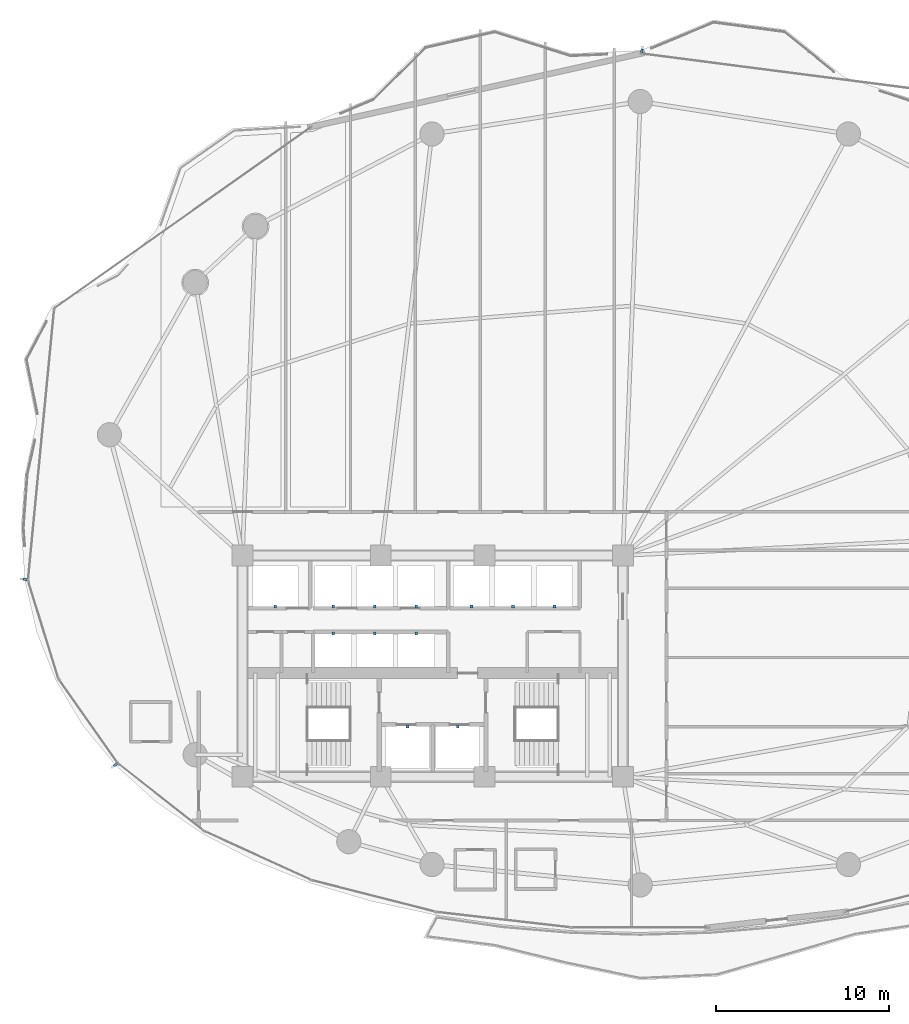
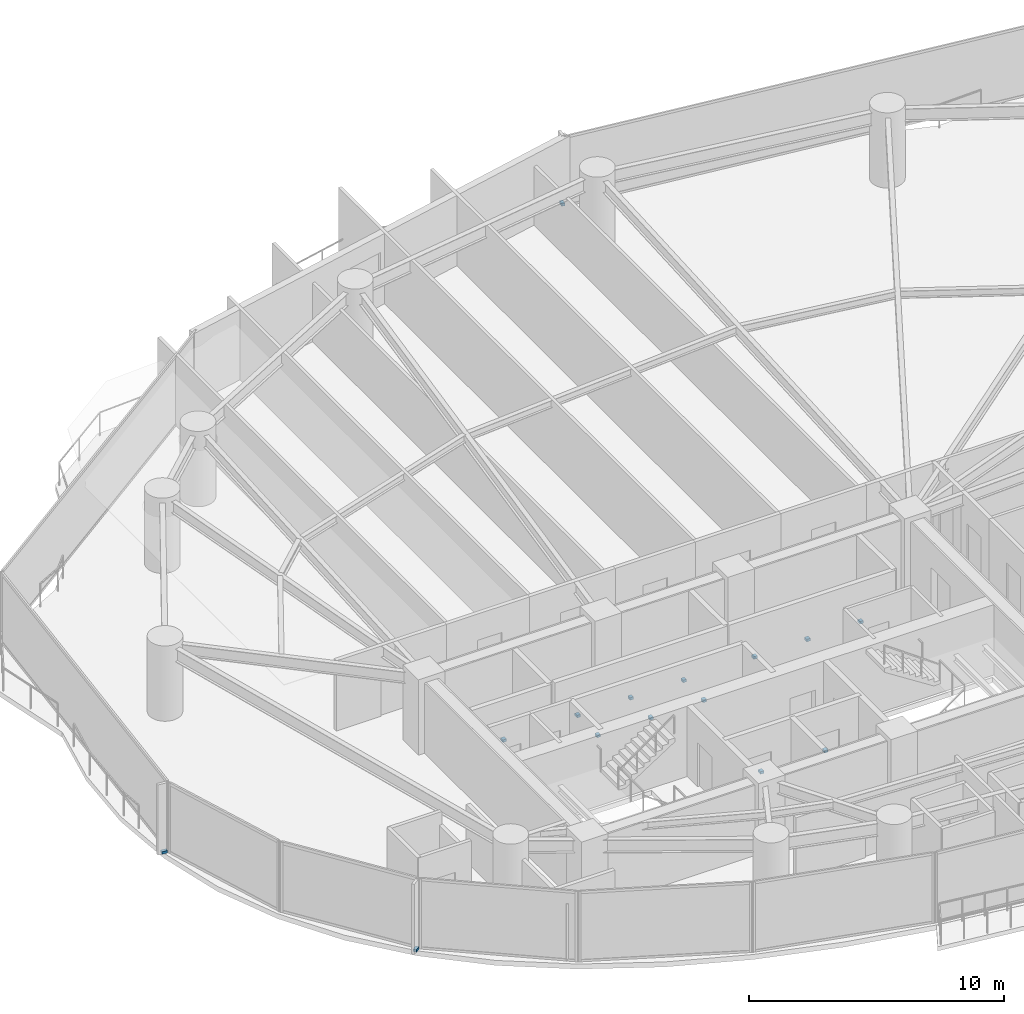
# One storey, part 28 of 32: 15 discrete accessories.
"""IFC4 building model written with IfcOpenShell, lengths in metres."""

from ifc_helpers import new_model, si_unit, direction, frame, origin, origin_2d, place, context, subcontext, project, spatial, rectangle, extrude, material, type_object, element, save


model = new_model("IFC4")

# Units and contexts
model_context = context("Model", 3, precision=1e-05, world=origin(), true_north=direction((0.0, 1.0)))
body_context = subcontext(model_context, "Body", "Model", "MODEL_VIEW")
ifc_project = project(units=[si_unit("LENGTHUNIT", "METRE"), si_unit("AREAUNIT", "SQUARE_METRE"), si_unit("VOLUMEUNIT", "CUBIC_METRE"), si_unit("PLANEANGLEUNIT", "RADIAN"), si_unit("MASSUNIT", "GRAM", prefix="KILO")], contexts=[model_context])

# Site, building, storey
site_placement = place(None, origin())
site = spatial("IfcSite", under=ifc_project, at=site_placement, CompositionType="ELEMENT")
building_placement = place(site_placement, origin())
building = spatial("IfcBuilding", under=site, at=building_placement, Name="Kazevale Care Tower and Concert Hall", CompositionType="ELEMENT")
storey_placement = place(building_placement, frame((0.0, 0.0, 34.800048828125)))
storey = spatial("IfcBuildingStorey", under=building, at=storey_placement, Name="L08", CompositionType="ELEMENT", Elevation=34.800048828125)

# Discrete accessories
ifc_material = material(Name="Stainless Steel 316", Category="steel")
discrete_accessory_type_1 = type_object("IfcDiscreteAccessoryType", Name="Facade Fin Stainless Anchor Bracket BRK-1", PredefinedType="BRACKET", material=ifc_material)
for number, where, z_axis, x_axis, name in (
    (1, (14.656005859375, 24.298828125, 0.0), (0.0, 0.0, 1.0), (-0.817547124842, -0.575861700985, 0.0), "cw:L08:f11:brk"),
    (2, (9.438720703125, 35.01416015625, 0.0), (0.0, 0.0, 1.0), (-0.995379454967, 0.09601948047, 0.0), "cw:L08:f13:brk"),
    (3, (45.096923828125, 65.57080078125, 0.0), (0.0, 0.0, 1.0), (0.128103248172, 0.991760837, 0.0), "cw:L08:f16:brk"),
):
    element("IfcDiscreteAccessory", number, at=place(storey_placement, frame(where, z_axis=z_axis, x_axis=x_axis)), inside=storey, type_object=discrete_accessory_type_1, Name=name, PredefinedType="BRACKET", context=body_context, shape_type="SweptSolid", body=[
        extrude(rectangle(XDim=0.239990234375, YDim=0.139892578125, at=origin_2d()), origin(), (0.0, 0.0, 1.0), 0.1201171875),
    ])
discrete_accessory_type_2 = type_object("IfcDiscreteAccessoryType", Name="Hoistway Guide-Rail Wall Bracket HBRK-1", PredefinedType="BRACKET", material=ifc_material)
for number, where, z_axis, x_axis, name in (
    (4, (31.550048828125, 26.52001953125, 1.239990234375), (0.0, 0.0, 1.0), (1.0, 0.0, 0.0), "hbrk:FFL-1:L08"),
    (5, (34.449951171875, 26.52001953125, 1.239990234375), (0.0, 0.0, 1.0), (1.0, 0.0, 0.0), "hbrk:FFL-2:L08"),
    (6, (23.89990234375, 33.449951171875, 1.239990234375), (0.0, 0.0, 1.0), (1.0, 0.0, 0.0), "hbrk:SVL-1:L08"),
    (7, (27.25, 33.449951171875, 1.239990234375), (0.0, 0.0, 1.0), (1.0, 0.0, 0.0), "hbrk:PL-1:L08"),
    (8, (29.64990234375, 33.449951171875, 1.239990234375), (0.0, 0.0, 1.0), (1.0, 0.0, 0.0), "hbrk:PL-2:L08"),
    (9, (32.050048828125, 33.449951171875, 1.239990234375), (0.0, 0.0, 1.0), (1.0, 0.0, 0.0), "hbrk:PL-3:L08"),
    (10, (35.25, 33.449951171875, 1.239990234375), (0.0, 0.0, 1.0), (1.0, 0.0, 0.0), "hbrk:PM-1:L08"),
    (11, (37.64990234375, 33.449951171875, 1.239990234375), (0.0, 0.0, 1.0), (1.0, 0.0, 0.0), "hbrk:PM-2:L08"),
    (12, (40.050048828125, 33.449951171875, 1.239990234375), (0.0, 0.0, 1.0), (1.0, 0.0, 0.0), "hbrk:PM-3:L08"),
    (13, (27.25, 31.8798828125, 1.239990234375), (0.0, 0.0, 1.0), (1.0, 0.0, 0.0), "hbrk:PH-1:L08"),
    (14, (29.64990234375, 31.8798828125, 1.239990234375), (0.0, 0.0, 1.0), (1.0, 0.0, 0.0), "hbrk:PH-2:L08"),
    (15, (32.050048828125, 31.8798828125, 1.239990234375), (0.0, 0.0, 1.0), (1.0, 0.0, 0.0), "hbrk:PH-3:L08"),
):
    element("IfcDiscreteAccessory", number, at=place(storey_placement, frame(where, z_axis=z_axis, x_axis=x_axis)), inside=storey, type_object=discrete_accessory_type_2, Name=name, PredefinedType="BRACKET", context=body_context, shape_type="SweptSolid", body=[
        extrude(rectangle(XDim=0.159912109375, YDim=0.179931640625, at=origin_2d()), origin(), (0.0, 0.0, 1.0), 0.1201171875),
    ])

save(model, "model.ifc")
